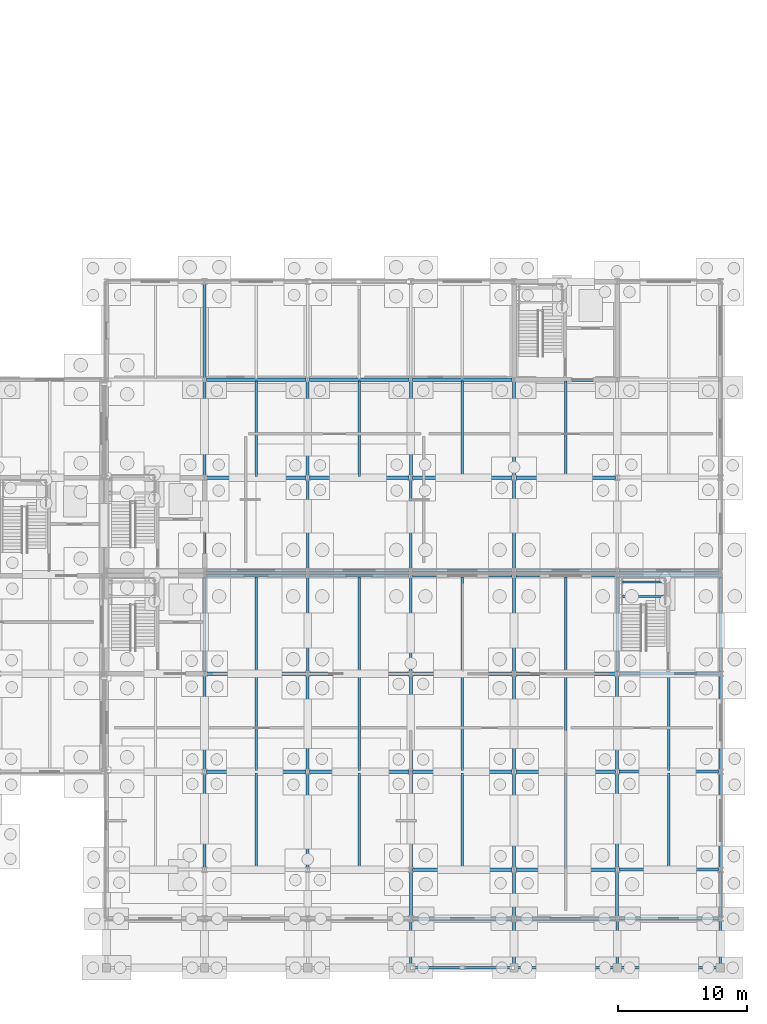
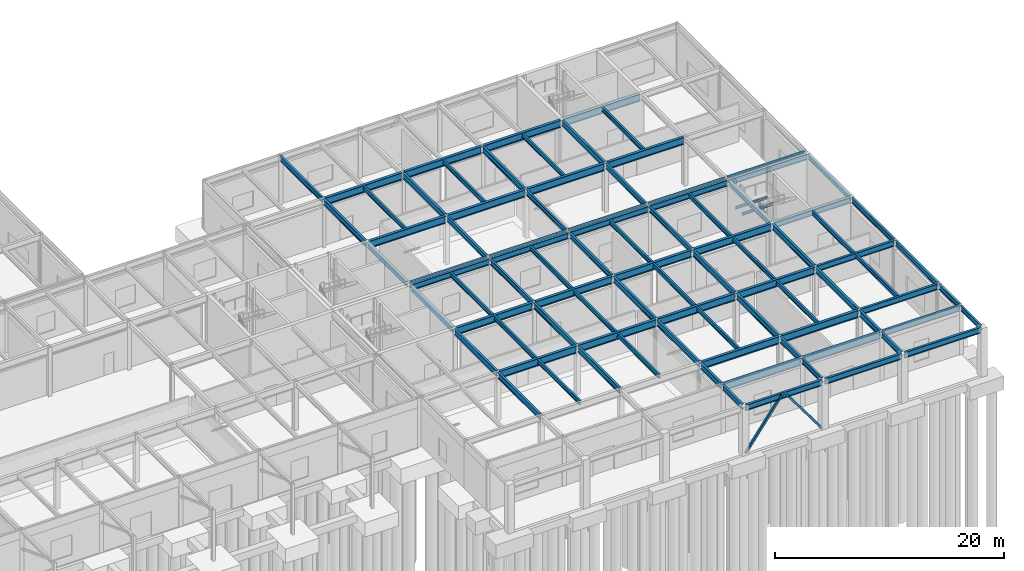
# One storey, part 33 of 62: 92 beams, 2 members.
"""IFC4 building model written with IfcOpenShell, lengths in metres."""

from ifc_helpers import new_model, si_unit, direction, frame, origin, origin_2d, place, context, subcontext, project, spatial, hollow_rectangle, i_section, extrude, material, material_profile, profile_set, type_object, element, save


model = new_model("IFC4")

# Units and contexts
model_context = context("Model", 3, precision=1e-05, world=origin(), true_north=direction((0.0, 1.0)))
body_context = subcontext(model_context, "Body", "Model", "MODEL_VIEW")
ifc_project = project(units=[si_unit("LENGTHUNIT", "METRE"), si_unit("AREAUNIT", "SQUARE_METRE"), si_unit("VOLUMEUNIT", "CUBIC_METRE"), si_unit("PLANEANGLEUNIT", "RADIAN"), si_unit("MASSUNIT", "GRAM", prefix="KILO")], contexts=[model_context])

# Site, building, storey
site_placement = place(None, origin())
site = spatial("IfcSite", under=ifc_project, at=site_placement, CompositionType="ELEMENT")
building_placement = place(site_placement, origin())
building = spatial("IfcBuilding", under=site, at=building_placement, Name="Zulena Civic Courthouse", CompositionType="ELEMENT")
storey_placement = place(building_placement, origin())
storey = spatial("IfcBuildingStorey", under=building, at=storey_placement, Name="L00", CompositionType="ELEMENT", Elevation=0.0)

# Members
ifc_material_1 = material(Name="Steel ASTM A500 Grade C", Category="steel")
ifc_material_profile_1 = material_profile(ifc_material_1, hollow_rectangle(XDim=0.202880859375, YDim=0.202880859375, WallThickness=0.01171875, at=origin_2d()), Name="HSS8X8X1/2")
ifc_profile_set_1 = profile_set([ifc_material_profile_1], Name="Steel ASTM A500 Grade C")
member_type = type_object("IfcMemberType", Name="Brace_HSS8", PredefinedType="BRACE", material=ifc_profile_set_1)
for number, where, z_axis, x_axis, name in (
    (1, (148.14990234375, 0.0, 0.010009765625), (0.593744110518, 0.0, 0.804653920158), (0.0, 1.0, 0.0), "brace:V1:L00:2:0"),
    (2, (155.85009765625, 0.0, 0.010009765625), (-0.593744110518, 0.0, 0.804653920158), (0.0, -1.0, 0.0), "brace:V1:L00:2:1"),
):
    element("IfcMember", number, at=place(storey_placement, frame(where, z_axis=z_axis, x_axis=x_axis)), inside=storey, type_object=member_type, Name=name, PredefinedType="BRACE", context=body_context, shape_type="SweptSolid", body=[
        extrude(hollow_rectangle(XDim=0.202880859375, YDim=0.202880859375, WallThickness=0.01171875, at=origin_2d()), origin(), (0.0, 0.0, 1.0), 6.400146484375),
    ])

# Beams
ifc_material_2 = material(Name="Steel ASTM A992 Grade 50", Category="steel")
ifc_material_profile_2 = material_profile(ifc_material_2, i_section(OverallWidth=0.22998046875, OverallDepth=0.616943359375, WebThickness=0.01318359375, FlangeThickness=0.022216796875, FilletRadius=0.0126953125, at=origin_2d()), Name="W24X94")
ifc_profile_set_2 = profile_set([ifc_material_profile_2], Name="Steel ASTM A992 Grade 50")
beam_type_1 = type_object("IfcBeamType", Name="Girder_W24X94", PredefinedType="BEAM", material=ifc_profile_set_2)
beam_1_placement = place(storey_placement, frame((132.0, 7.7451171875, 4.87646484375), z_axis=(0.0, 1.0, 0.0), x_axis=(-1.0, 0.0, 0.0)))
element("IfcBeam", 3, at=beam_1_placement, inside=storey, type_object=beam_type_1, Name="beam:Y:V1:L00:132.0:7.6_15.2", PredefinedType="BEAM", context=body_context, shape_type="SweptSolid", body=[
    extrude(i_section(OverallWidth=0.22998046875, OverallDepth=0.616943359375, WebThickness=0.01318359375, FlangeThickness=0.022216796875, FilletRadius=0.0126953125, at=origin_2d()), origin(), (0.0, 0.0, 1.0), 7.309814453125),
])
beam_2_placement = place(storey_placement, frame((132.0, 15.344970703125, 4.87646484375), z_axis=(0.0, 1.0, 0.0), x_axis=(-1.0, 0.0, 0.0)))
element("IfcBeam", 4, at=beam_2_placement, inside=storey, type_object=beam_type_1, Name="beam:Y:V1:L00:132.0:15.2_22.8", PredefinedType="BEAM", context=body_context, shape_type="SweptSolid", body=[
    extrude(i_section(OverallWidth=0.22998046875, OverallDepth=0.616943359375, WebThickness=0.01318359375, FlangeThickness=0.022216796875, FilletRadius=0.0126953125, at=origin_2d()), origin(), (0.0, 0.0, 1.0), 7.31005859375),
])
beam_3_placement = place(storey_placement, frame((140.0, 7.7451171875, 4.87646484375), z_axis=(0.0, 1.0, 0.0), x_axis=(-1.0, 0.0, 0.0)))
element("IfcBeam", 5, at=beam_3_placement, inside=storey, type_object=beam_type_1, Name="beam:Y:V1:L00:140.0:7.6_15.2", PredefinedType="BEAM", context=body_context, shape_type="SweptSolid", body=[
    extrude(i_section(OverallWidth=0.22998046875, OverallDepth=0.616943359375, WebThickness=0.01318359375, FlangeThickness=0.022216796875, FilletRadius=0.0126953125, at=origin_2d()), origin(), (0.0, 0.0, 1.0), 7.309814453125),
])
beam_4_placement = place(storey_placement, frame((140.0, 15.344970703125, 4.87646484375), z_axis=(0.0, 1.0, 0.0), x_axis=(-1.0, 0.0, 0.0)))
element("IfcBeam", 6, at=beam_4_placement, inside=storey, type_object=beam_type_1, Name="beam:Y:V1:L00:140.0:15.2_22.8", PredefinedType="BEAM", context=body_context, shape_type="SweptSolid", body=[
    extrude(i_section(OverallWidth=0.22998046875, OverallDepth=0.616943359375, WebThickness=0.01318359375, FlangeThickness=0.022216796875, FilletRadius=0.0126953125, at=origin_2d()), origin(), (0.0, 0.0, 1.0), 7.31005859375),
])
beam_5_placement = place(storey_placement, frame((148.0, 3.945068359375, 4.87646484375), z_axis=(0.0, 1.0, 0.0), x_axis=(-1.0, 0.0, 0.0)))
element("IfcBeam", 7, at=beam_5_placement, inside=storey, type_object=beam_type_1, Name="beam:Y:V1:L00:148.0:3.8_7.6", PredefinedType="BEAM", context=body_context, shape_type="SweptSolid", body=[
    extrude(i_section(OverallWidth=0.22998046875, OverallDepth=0.616943359375, WebThickness=0.01318359375, FlangeThickness=0.022216796875, FilletRadius=0.0126953125, at=origin_2d()), origin(), (0.0, 0.0, 1.0), 3.510009765625),
])
beam_6_placement = place(storey_placement, frame((148.0, 7.7451171875, 4.87646484375), z_axis=(0.0, 1.0, 0.0), x_axis=(-1.0, 0.0, 0.0)))
element("IfcBeam", 8, at=beam_6_placement, inside=storey, type_object=beam_type_1, Name="beam:Y:V1:L00:148.0:7.6_15.2", PredefinedType="BEAM", context=body_context, shape_type="SweptSolid", body=[
    extrude(i_section(OverallWidth=0.22998046875, OverallDepth=0.616943359375, WebThickness=0.01318359375, FlangeThickness=0.022216796875, FilletRadius=0.0126953125, at=origin_2d()), origin(), (0.0, 0.0, 1.0), 7.309814453125),
])
beam_7_placement = place(storey_placement, frame((148.0, 15.344970703125, 4.87646484375), z_axis=(0.0, 1.0, 0.0), x_axis=(-1.0, 0.0, 0.0)))
element("IfcBeam", 9, at=beam_7_placement, inside=storey, type_object=beam_type_1, Name="beam:Y:V1:L00:148.0:15.2_22.8", PredefinedType="BEAM", context=body_context, shape_type="SweptSolid", body=[
    extrude(i_section(OverallWidth=0.22998046875, OverallDepth=0.616943359375, WebThickness=0.01318359375, FlangeThickness=0.022216796875, FilletRadius=0.0126953125, at=origin_2d()), origin(), (0.0, 0.0, 1.0), 7.31005859375),
])
beam_8_placement = place(storey_placement, frame((156.0, 3.945068359375, 4.87646484375), z_axis=(0.0, 1.0, 0.0), x_axis=(-1.0, 0.0, 0.0)))
element("IfcBeam", 10, at=beam_8_placement, inside=storey, type_object=beam_type_1, Name="beam:Y:V1:L00:156.0:3.8_7.6", PredefinedType="BEAM", context=body_context, shape_type="SweptSolid", body=[
    extrude(i_section(OverallWidth=0.22998046875, OverallDepth=0.616943359375, WebThickness=0.01318359375, FlangeThickness=0.022216796875, FilletRadius=0.0126953125, at=origin_2d()), origin(), (0.0, 0.0, 1.0), 3.510009765625),
])
beam_9_placement = place(storey_placement, frame((156.0, 7.7451171875, 4.87646484375), z_axis=(0.0, 1.0, 0.0), x_axis=(-1.0, 0.0, 0.0)))
element("IfcBeam", 11, at=beam_9_placement, inside=storey, type_object=beam_type_1, Name="beam:Y:V1:L00:156.0:7.6_15.2", PredefinedType="BEAM", context=body_context, shape_type="SweptSolid", body=[
    extrude(i_section(OverallWidth=0.22998046875, OverallDepth=0.616943359375, WebThickness=0.01318359375, FlangeThickness=0.022216796875, FilletRadius=0.0126953125, at=origin_2d()), origin(), (0.0, 0.0, 1.0), 7.309814453125),
])
beam_10_placement = place(storey_placement, frame((156.0, 15.344970703125, 4.87646484375), z_axis=(0.0, 1.0, 0.0), x_axis=(-1.0, 0.0, 0.0)))
element("IfcBeam", 12, at=beam_10_placement, inside=storey, type_object=beam_type_1, Name="beam:Y:V1:L00:156.0:15.2_22.8", PredefinedType="BEAM", context=body_context, shape_type="SweptSolid", body=[
    extrude(i_section(OverallWidth=0.22998046875, OverallDepth=0.616943359375, WebThickness=0.01318359375, FlangeThickness=0.022216796875, FilletRadius=0.0126953125, at=origin_2d()), origin(), (0.0, 0.0, 1.0), 7.31005859375),
])
beam_11_placement = place(storey_placement, frame((164.0, 3.945068359375, 4.87646484375), z_axis=(0.0, 1.0, 0.0), x_axis=(-1.0, 0.0, 0.0)))
element("IfcBeam", 13, at=beam_11_placement, inside=storey, type_object=beam_type_1, Name="beam:Y:V1:L00:164.0:3.8_7.6", PredefinedType="BEAM", context=body_context, shape_type="SweptSolid", body=[
    extrude(i_section(OverallWidth=0.22998046875, OverallDepth=0.616943359375, WebThickness=0.01318359375, FlangeThickness=0.022216796875, FilletRadius=0.0126953125, at=origin_2d()), origin(), (0.0, 0.0, 1.0), 3.510009765625),
])
beam_12_placement = place(storey_placement, frame((164.0, 7.7451171875, 4.87646484375), z_axis=(0.0, 1.0, 0.0), x_axis=(-1.0, 0.0, 0.0)))
element("IfcBeam", 14, at=beam_12_placement, inside=storey, type_object=beam_type_1, Name="beam:Y:V1:L00:164.0:7.6_15.2", PredefinedType="BEAM", context=body_context, shape_type="SweptSolid", body=[
    extrude(i_section(OverallWidth=0.22998046875, OverallDepth=0.616943359375, WebThickness=0.01318359375, FlangeThickness=0.022216796875, FilletRadius=0.0126953125, at=origin_2d()), origin(), (0.0, 0.0, 1.0), 7.309814453125),
])
for number, where, z_axis, x_axis, name in (
    (15, (164.0, 15.344970703125, 4.87646484375), (0.0, 1.0, 0.0), (-1.0, 0.0, 0.0), "beam:Y:V1:L00:164.0:15.2_22.8"),
    (16, (132.0, 38.14501953125, 4.87646484375), (0.0, 1.0, 0.0), (-1.0, 0.0, 0.0), "beam:Y:V3:L00:132.0:38.0_45.6"),
    (17, (140.0, 38.14501953125, 4.87646484375), (0.0, 1.0, 0.0), (-1.0, 0.0, 0.0), "beam:Y:V3:L00:140.0:38.0_45.6"),
    (18, (148.0, 38.14501953125, 4.87646484375), (0.0, 1.0, 0.0), (-1.0, 0.0, 0.0), "beam:Y:V3:L00:148.0:38.0_45.6"),
    (19, (156.0, 38.14501953125, 4.87646484375), (0.0, 1.0, 0.0), (-1.0, 0.0, 0.0), "beam:Y:V3:L00:156.0:38.0_45.6"),
):
    element("IfcBeam", number, at=place(storey_placement, frame(where, z_axis=z_axis, x_axis=x_axis)), inside=storey, type_object=beam_type_1, Name=name, PredefinedType="BEAM", context=body_context, shape_type="SweptSolid", body=[
        extrude(i_section(OverallWidth=0.22998046875, OverallDepth=0.616943359375, WebThickness=0.01318359375, FlangeThickness=0.022216796875, FilletRadius=0.0126953125, at=origin_2d()), origin(), (0.0, 0.0, 1.0), 7.31005859375),
    ])
ifc_material_profile_3 = material_profile(ifc_material_2, i_section(OverallWidth=0.26611328125, OverallDepth=0.779052734375, WebThickness=0.0166015625, FlangeThickness=0.030029296875, FilletRadius=0.0166015625, at=origin_2d()), Name="W30X148")
ifc_profile_set_3 = profile_set([ifc_material_profile_3], Name="Steel ASTM A992 Grade 50")
beam_type_2 = type_object("IfcBeamType", Name="Girder_W30X148", PredefinedType="BEAM", material=ifc_profile_set_3)
for number, where, z_axis, x_axis, name in (
    (20, (148.14501953125, 3.800048828125, 4.79541015625), (1.0, 0.0, 0.0), (0.0, 1.0, 0.0), "beam:X:V1:L00:3.8:148.0_156.0"),
    (21, (156.14501953125, 3.800048828125, 4.79541015625), (1.0, 0.0, 0.0), (0.0, 1.0, 0.0), "beam:X:V1:L00:3.8:156.0_164.0"),
    (22, (148.14501953125, 7.60009765625, 4.79541015625), (1.0, 0.0, 0.0), (0.0, 1.0, 0.0), "beam:X:V1:L00:7.6:148.0_156.0"),
    (23, (156.14501953125, 7.60009765625, 4.79541015625), (1.0, 0.0, 0.0), (0.0, 1.0, 0.0), "beam:X:V1:L00:7.6:156.0_164.0"),
    (24, (132.14501953125, 15.199951171875, 4.79541015625), (1.0, 0.0, 0.0), (0.0, 1.0, 0.0), "beam:X:V1:L00:15.2:132.0_140.0"),
    (25, (140.14501953125, 15.199951171875, 4.79541015625), (1.0, 0.0, 0.0), (0.0, 1.0, 0.0), "beam:X:V1:L00:15.2:140.0_148.0"),
    (26, (148.14501953125, 15.199951171875, 4.79541015625), (1.0, 0.0, 0.0), (0.0, 1.0, 0.0), "beam:X:V1:L00:15.2:148.0_156.0"),
    (27, (156.14501953125, 15.199951171875, 4.79541015625), (1.0, 0.0, 0.0), (0.0, 1.0, 0.0), "beam:X:V1:L00:15.2:156.0_164.0"),
    (28, (132.14501953125, 22.800048828125, 4.79541015625), (1.0, 0.0, 0.0), (0.0, 1.0, 0.0), "beam:X:V1:L00:22.8:132.0_140.0"),
    (29, (140.14501953125, 22.800048828125, 4.79541015625), (1.0, 0.0, 0.0), (0.0, 1.0, 0.0), "beam:X:V1:L00:22.8:140.0_148.0"),
    (30, (148.14501953125, 22.800048828125, 4.79541015625), (1.0, 0.0, 0.0), (0.0, 1.0, 0.0), "beam:X:V1:L00:22.8:148.0_156.0"),
    (31, (156.14501953125, 22.800048828125, 4.79541015625), (1.0, 0.0, 0.0), (0.0, 1.0, 0.0), "beam:X:V1:L00:22.8:156.0_164.0"),
    (32, (132.14501953125, 38.0, 4.79541015625), (1.0, 0.0, 0.0), (0.0, 1.0, 0.0), "beam:X:V3:L00:38.0:132.0_140.0"),
    (33, (140.14501953125, 38.0, 4.79541015625), (1.0, 0.0, 0.0), (0.0, 1.0, 0.0), "beam:X:V3:L00:38.0:140.0_148.0"),
    (34, (148.14501953125, 38.0, 4.79541015625), (1.0, 0.0, 0.0), (0.0, 1.0, 0.0), "beam:X:V3:L00:38.0:148.0_156.0"),
    (35, (156.14501953125, 38.0, 4.79541015625), (1.0, 0.0, 0.0), (0.0, 1.0, 0.0), "beam:X:V3:L00:38.0:156.0_164.0"),
    (36, (132.14501953125, 45.60009765625, 4.79541015625), (1.0, 0.0, 0.0), (0.0, 1.0, 0.0), "beam:X:V3:L00:45.6:132.0_140.0"),
    (37, (140.14501953125, 45.60009765625, 4.79541015625), (1.0, 0.0, 0.0), (0.0, 1.0, 0.0), "beam:X:V3:L00:45.6:140.0_148.0"),
    (38, (148.14501953125, 45.60009765625, 4.79541015625), (1.0, 0.0, 0.0), (0.0, 1.0, 0.0), "beam:X:V3:L00:45.6:148.0_156.0"),
    (39, (156.14501953125, 45.60009765625, 4.79541015625), (1.0, 0.0, 0.0), (0.0, 1.0, 0.0), "beam:X:V3:L00:45.6:156.0_164.0"),
):
    element("IfcBeam", number, at=place(storey_placement, frame(where, z_axis=z_axis, x_axis=x_axis)), inside=storey, type_object=beam_type_2, Name=name, PredefinedType="BEAM", context=body_context, shape_type="SweptSolid", body=[
        extrude(i_section(OverallWidth=0.26611328125, OverallDepth=0.779052734375, WebThickness=0.0166015625, FlangeThickness=0.030029296875, FilletRadius=0.0166015625, at=origin_2d()), origin(), (0.0, 0.0, 1.0), 7.7099609375),
    ])
ifc_material_profile_4 = material_profile(ifc_material_2, i_section(OverallWidth=0.14599609375, OverallDepth=0.258056640625, WebThickness=0.006103515625, FlangeThickness=0.009033203125, FilletRadius=0.007568359375, at=origin_2d()), Name="W10X22")
ifc_profile_set_4 = profile_set([ifc_material_profile_4], Name="Steel ASTM A992 Grade 50")
beam_type_3 = type_object("IfcBeamType", Name="Joist_W10X22", PredefinedType="JOIST", material=ifc_profile_set_4)
for number, where, z_axis, x_axis, name in (
    (40, (164.419921875, 28.800048828125, 2.291015625), (1.0, 0.0, 0.0), (0.0, 1.0, 0.0), "beam:lnd:K1B:L00:0"),
    (41, (164.419921875, 29.89990234375, 2.291015625), (1.0, 0.0, 0.0), (0.0, 1.0, 0.0), "beam:lnd:K1B:L00:1"),
):
    element("IfcBeam", number, at=place(storey_placement, frame(where, z_axis=z_axis, x_axis=x_axis)), inside=storey, type_object=beam_type_3, Name=name, PredefinedType="JOIST", context=body_context, shape_type="SweptSolid", body=[
        extrude(i_section(OverallWidth=0.14599609375, OverallDepth=0.258056640625, WebThickness=0.006103515625, FlangeThickness=0.009033203125, FilletRadius=0.007568359375, at=origin_2d()), origin(), (0.0, 0.0, 1.0), 3.2001953125),
    ])
ifc_material_profile_5 = material_profile(ifc_material_2, i_section(OverallWidth=0.19091796875, OverallDepth=0.4599609375, WebThickness=0.010009765625, FlangeThickness=0.01611328125, FilletRadius=0.01025390625, at=origin_2d()), Name="W18X55")
ifc_profile_set_5 = profile_set([ifc_material_profile_5], Name="Steel ASTM A992 Grade 50")
beam_type_4 = type_object("IfcBeamType", Name="Joist_W18X55", PredefinedType="JOIST", material=ifc_profile_set_5)
beam_13_placement = place(storey_placement, frame((136.0, 7.705078125, 4.955078125), z_axis=(0.0, 1.0, 0.0), x_axis=(-1.0, 0.0, 0.0)))
element("IfcBeam", 42, at=beam_13_placement, inside=storey, type_object=beam_type_4, Name="joist:V1:L00:136.00:7.6_15.2", PredefinedType="JOIST", context=body_context, shape_type="SweptSolid", body=[
    extrude(i_section(OverallWidth=0.19091796875, OverallDepth=0.4599609375, WebThickness=0.010009765625, FlangeThickness=0.01611328125, FilletRadius=0.01025390625, at=origin_2d()), origin(), (0.0, 0.0, 1.0), 7.389892578125),
])
beam_14_placement = place(storey_placement, frame((136.0, 15.304931640625, 4.955078125), z_axis=(0.0, 1.0, 0.0), x_axis=(-1.0, 0.0, 0.0)))
element("IfcBeam", 43, at=beam_14_placement, inside=storey, type_object=beam_type_4, Name="joist:V1:L00:136.00:15.2_22.8", PredefinedType="JOIST", context=body_context, shape_type="SweptSolid", body=[
    extrude(i_section(OverallWidth=0.19091796875, OverallDepth=0.4599609375, WebThickness=0.010009765625, FlangeThickness=0.01611328125, FilletRadius=0.01025390625, at=origin_2d()), origin(), (0.0, 0.0, 1.0), 7.39013671875),
])
for number, where, z_axis, x_axis, name in (
    (44, (136.0, 22.905029296875, 4.955078125), (0.0, 1.0, 0.0), (-1.0, 0.0, 0.0), "joist:V1:L00:136.00:22.8_30.4"),
    (45, (144.0, 7.705078125, 4.955078125), (0.0, 1.0, 0.0), (-1.0, 0.0, 0.0), "joist:V1:L00:144.00:7.6_15.2"),
):
    element("IfcBeam", number, at=place(storey_placement, frame(where, z_axis=z_axis, x_axis=x_axis)), inside=storey, type_object=beam_type_4, Name=name, PredefinedType="JOIST", context=body_context, shape_type="SweptSolid", body=[
        extrude(i_section(OverallWidth=0.19091796875, OverallDepth=0.4599609375, WebThickness=0.010009765625, FlangeThickness=0.01611328125, FilletRadius=0.01025390625, at=origin_2d()), origin(), (0.0, 0.0, 1.0), 7.389892578125),
    ])
beam_15_placement = place(storey_placement, frame((144.0, 15.304931640625, 4.955078125), z_axis=(0.0, 1.0, 0.0), x_axis=(-1.0, 0.0, 0.0)))
element("IfcBeam", 46, at=beam_15_placement, inside=storey, type_object=beam_type_4, Name="joist:V1:L00:144.00:15.2_22.8", PredefinedType="JOIST", context=body_context, shape_type="SweptSolid", body=[
    extrude(i_section(OverallWidth=0.19091796875, OverallDepth=0.4599609375, WebThickness=0.010009765625, FlangeThickness=0.01611328125, FilletRadius=0.01025390625, at=origin_2d()), origin(), (0.0, 0.0, 1.0), 7.39013671875),
])
for number, where, z_axis, x_axis, name in (
    (47, (144.0, 22.905029296875, 4.955078125), (0.0, 1.0, 0.0), (-1.0, 0.0, 0.0), "joist:V1:L00:144.00:22.8_30.4"),
    (48, (152.0, 7.705078125, 4.955078125), (0.0, 1.0, 0.0), (-1.0, 0.0, 0.0), "joist:V1:L00:152.00:7.6_15.2"),
):
    element("IfcBeam", number, at=place(storey_placement, frame(where, z_axis=z_axis, x_axis=x_axis)), inside=storey, type_object=beam_type_4, Name=name, PredefinedType="JOIST", context=body_context, shape_type="SweptSolid", body=[
        extrude(i_section(OverallWidth=0.19091796875, OverallDepth=0.4599609375, WebThickness=0.010009765625, FlangeThickness=0.01611328125, FilletRadius=0.01025390625, at=origin_2d()), origin(), (0.0, 0.0, 1.0), 7.389892578125),
    ])
beam_16_placement = place(storey_placement, frame((152.0, 15.304931640625, 4.955078125), z_axis=(0.0, 1.0, 0.0), x_axis=(-1.0, 0.0, 0.0)))
element("IfcBeam", 49, at=beam_16_placement, inside=storey, type_object=beam_type_4, Name="joist:V1:L00:152.00:15.2_22.8", PredefinedType="JOIST", context=body_context, shape_type="SweptSolid", body=[
    extrude(i_section(OverallWidth=0.19091796875, OverallDepth=0.4599609375, WebThickness=0.010009765625, FlangeThickness=0.01611328125, FilletRadius=0.01025390625, at=origin_2d()), origin(), (0.0, 0.0, 1.0), 7.39013671875),
])
for number, where, z_axis, x_axis, name in (
    (50, (152.0, 22.905029296875, 4.955078125), (0.0, 1.0, 0.0), (-1.0, 0.0, 0.0), "joist:V1:L00:152.00:22.8_30.4"),
    (51, (160.0, 7.705078125, 4.955078125), (0.0, 1.0, 0.0), (-1.0, 0.0, 0.0), "joist:V1:L00:160.00:7.6_15.2"),
):
    element("IfcBeam", number, at=place(storey_placement, frame(where, z_axis=z_axis, x_axis=x_axis)), inside=storey, type_object=beam_type_4, Name=name, PredefinedType="JOIST", context=body_context, shape_type="SweptSolid", body=[
        extrude(i_section(OverallWidth=0.19091796875, OverallDepth=0.4599609375, WebThickness=0.010009765625, FlangeThickness=0.01611328125, FilletRadius=0.01025390625, at=origin_2d()), origin(), (0.0, 0.0, 1.0), 7.389892578125),
    ])
beam_17_placement = place(storey_placement, frame((160.0, 15.304931640625, 4.955078125), z_axis=(0.0, 1.0, 0.0), x_axis=(-1.0, 0.0, 0.0)))
element("IfcBeam", 52, at=beam_17_placement, inside=storey, type_object=beam_type_4, Name="joist:V1:L00:160.00:15.2_22.8", PredefinedType="JOIST", context=body_context, shape_type="SweptSolid", body=[
    extrude(i_section(OverallWidth=0.19091796875, OverallDepth=0.4599609375, WebThickness=0.010009765625, FlangeThickness=0.01611328125, FilletRadius=0.01025390625, at=origin_2d()), origin(), (0.0, 0.0, 1.0), 7.39013671875),
])
for number, where, z_axis, x_axis, name in (
    (53, (160.0, 22.905029296875, 4.955078125), (0.0, 1.0, 0.0), (-1.0, 0.0, 0.0), "joist:V1:L00:160.00:22.8_30.4"),
    (54, (168.0, 7.705078125, 4.955078125), (0.0, 1.0, 0.0), (-1.0, 0.0, 0.0), "joist:V1:L00:168.00:7.6_15.2"),
):
    element("IfcBeam", number, at=place(storey_placement, frame(where, z_axis=z_axis, x_axis=x_axis)), inside=storey, type_object=beam_type_4, Name=name, PredefinedType="JOIST", context=body_context, shape_type="SweptSolid", body=[
        extrude(i_section(OverallWidth=0.19091796875, OverallDepth=0.4599609375, WebThickness=0.010009765625, FlangeThickness=0.01611328125, FilletRadius=0.01025390625, at=origin_2d()), origin(), (0.0, 0.0, 1.0), 7.389892578125),
    ])
for number, where, z_axis, x_axis, name in (
    (55, (168.0, 15.304931640625, 4.955078125), (0.0, 1.0, 0.0), (-1.0, 0.0, 0.0), "joist:V1:L00:168.00:15.2_22.8"),
    (56, (136.0, 38.10498046875, 4.955078125), (0.0, 1.0, 0.0), (-1.0, 0.0, 0.0), "joist:V3:L00:136.00:38.0_45.6"),
    (57, (144.0, 38.10498046875, 4.955078125), (0.0, 1.0, 0.0), (-1.0, 0.0, 0.0), "joist:V3:L00:144.00:38.0_45.6"),
    (58, (152.0, 38.10498046875, 4.955078125), (0.0, 1.0, 0.0), (-1.0, 0.0, 0.0), "joist:V3:L00:152.00:38.0_45.6"),
    (59, (160.0, 38.10498046875, 4.955078125), (0.0, 1.0, 0.0), (-1.0, 0.0, 0.0), "joist:V3:L00:160.00:38.0_45.6"),
):
    element("IfcBeam", number, at=place(storey_placement, frame(where, z_axis=z_axis, x_axis=x_axis)), inside=storey, type_object=beam_type_4, Name=name, PredefinedType="JOIST", context=body_context, shape_type="SweptSolid", body=[
        extrude(i_section(OverallWidth=0.19091796875, OverallDepth=0.4599609375, WebThickness=0.010009765625, FlangeThickness=0.01611328125, FilletRadius=0.01025390625, at=origin_2d()), origin(), (0.0, 0.0, 1.0), 7.39013671875),
    ])
ifc_material_profile_6 = material_profile(ifc_material_2, i_section(OverallWidth=0.2099609375, OverallDepth=0.537109375, WebThickness=0.010986328125, FlangeThickness=0.017333984375, FilletRadius=0.0126953125, at=origin_2d()), Name="W21X68")
ifc_profile_set_6 = profile_set([ifc_material_profile_6], Name="Steel ASTM A992 Grade 50")
beam_type_5 = type_object("IfcBeamType", Name="Spandrel_W21X68", PredefinedType="SPANDREL", material=ifc_profile_set_6)
for number, where, z_axis, x_axis, name in (
    (60, (132.0, 22.945068359375, 4.91650390625), (0.0, 1.0, 0.0), (-1.0, 0.0, 0.0), "beam:Y:V1:L00:132.0:22.8_30.4"),
    (61, (140.0, 22.945068359375, 4.91650390625), (0.0, 1.0, 0.0), (-1.0, 0.0, 0.0), "beam:Y:V1:L00:140.0:22.8_30.4"),
):
    element("IfcBeam", number, at=place(storey_placement, frame(where, z_axis=z_axis, x_axis=x_axis)), inside=storey, type_object=beam_type_5, Name=name, PredefinedType="SPANDREL", context=body_context, shape_type="SweptSolid", body=[
        extrude(i_section(OverallWidth=0.2099609375, OverallDepth=0.537109375, WebThickness=0.010986328125, FlangeThickness=0.017333984375, FilletRadius=0.0126953125, at=origin_2d()), origin(), (0.0, 0.0, 1.0), 7.309814453125),
    ])
beam_18_placement = place(storey_placement, frame((148.0, 0.14501953125, 4.91650390625), z_axis=(0.0, 1.0, 0.0), x_axis=(-1.0, 0.0, 0.0)))
element("IfcBeam", 62, at=beam_18_placement, inside=storey, type_object=beam_type_5, Name="beam:Y:V1:L00:148.0:0.0_3.8", PredefinedType="SPANDREL", context=body_context, shape_type="SweptSolid", body=[
    extrude(i_section(OverallWidth=0.2099609375, OverallDepth=0.537109375, WebThickness=0.010986328125, FlangeThickness=0.017333984375, FilletRadius=0.0126953125, at=origin_2d()), origin(), (0.0, 0.0, 1.0), 3.510009765625),
])
beam_19_placement = place(storey_placement, frame((148.0, 22.945068359375, 4.91650390625), z_axis=(0.0, 1.0, 0.0), x_axis=(-1.0, 0.0, 0.0)))
element("IfcBeam", 63, at=beam_19_placement, inside=storey, type_object=beam_type_5, Name="beam:Y:V1:L00:148.0:22.8_30.4", PredefinedType="SPANDREL", context=body_context, shape_type="SweptSolid", body=[
    extrude(i_section(OverallWidth=0.2099609375, OverallDepth=0.537109375, WebThickness=0.010986328125, FlangeThickness=0.017333984375, FilletRadius=0.0126953125, at=origin_2d()), origin(), (0.0, 0.0, 1.0), 7.309814453125),
])
beam_20_placement = place(storey_placement, frame((156.0, 0.14501953125, 4.91650390625), z_axis=(0.0, 1.0, 0.0), x_axis=(-1.0, 0.0, 0.0)))
element("IfcBeam", 64, at=beam_20_placement, inside=storey, type_object=beam_type_5, Name="beam:Y:V1:L00:156.0:0.0_3.8", PredefinedType="SPANDREL", context=body_context, shape_type="SweptSolid", body=[
    extrude(i_section(OverallWidth=0.2099609375, OverallDepth=0.537109375, WebThickness=0.010986328125, FlangeThickness=0.017333984375, FilletRadius=0.0126953125, at=origin_2d()), origin(), (0.0, 0.0, 1.0), 3.510009765625),
])
beam_21_placement = place(storey_placement, frame((156.0, 22.945068359375, 4.91650390625), z_axis=(0.0, 1.0, 0.0), x_axis=(-1.0, 0.0, 0.0)))
element("IfcBeam", 65, at=beam_21_placement, inside=storey, type_object=beam_type_5, Name="beam:Y:V1:L00:156.0:22.8_30.4", PredefinedType="SPANDREL", context=body_context, shape_type="SweptSolid", body=[
    extrude(i_section(OverallWidth=0.2099609375, OverallDepth=0.537109375, WebThickness=0.010986328125, FlangeThickness=0.017333984375, FilletRadius=0.0126953125, at=origin_2d()), origin(), (0.0, 0.0, 1.0), 7.309814453125),
])
beam_22_placement = place(storey_placement, frame((164.0, 0.14501953125, 4.91650390625), z_axis=(0.0, 1.0, 0.0), x_axis=(-1.0, 0.0, 0.0)))
element("IfcBeam", 66, at=beam_22_placement, inside=storey, type_object=beam_type_5, Name="beam:Y:V1:L00:164.0:0.0_3.8", PredefinedType="SPANDREL", context=body_context, shape_type="SweptSolid", body=[
    extrude(i_section(OverallWidth=0.2099609375, OverallDepth=0.537109375, WebThickness=0.010986328125, FlangeThickness=0.017333984375, FilletRadius=0.0126953125, at=origin_2d()), origin(), (0.0, 0.0, 1.0), 3.510009765625),
])
beam_23_placement = place(storey_placement, frame((164.0, 22.945068359375, 4.91650390625), z_axis=(0.0, 1.0, 0.0), x_axis=(-1.0, 0.0, 0.0)))
element("IfcBeam", 67, at=beam_23_placement, inside=storey, type_object=beam_type_5, Name="beam:Y:V1:L00:164.0:22.8_30.4", PredefinedType="SPANDREL", context=body_context, shape_type="SweptSolid", body=[
    extrude(i_section(OverallWidth=0.2099609375, OverallDepth=0.537109375, WebThickness=0.010986328125, FlangeThickness=0.017333984375, FilletRadius=0.0126953125, at=origin_2d()), origin(), (0.0, 0.0, 1.0), 7.309814453125),
])
for number, where, z_axis, x_axis, name in (
    (68, (172.0, 0.14501953125, 4.91650390625), (0.0, 1.0, 0.0), (-1.0, 0.0, 0.0), "beam:Y:V1:L00:172.0:0.0_3.8"),
    (69, (172.0, 3.945068359375, 4.91650390625), (0.0, 1.0, 0.0), (-1.0, 0.0, 0.0), "beam:Y:V1:L00:172.0:3.8_7.6"),
):
    element("IfcBeam", number, at=place(storey_placement, frame(where, z_axis=z_axis, x_axis=x_axis)), inside=storey, type_object=beam_type_5, Name=name, PredefinedType="SPANDREL", context=body_context, shape_type="SweptSolid", body=[
        extrude(i_section(OverallWidth=0.2099609375, OverallDepth=0.537109375, WebThickness=0.010986328125, FlangeThickness=0.017333984375, FilletRadius=0.0126953125, at=origin_2d()), origin(), (0.0, 0.0, 1.0), 3.510009765625),
    ])
beam_24_placement = place(storey_placement, frame((172.0, 7.7451171875, 4.91650390625), z_axis=(0.0, 1.0, 0.0), x_axis=(-1.0, 0.0, 0.0)))
element("IfcBeam", 70, at=beam_24_placement, inside=storey, type_object=beam_type_5, Name="beam:Y:V1:L00:172.0:7.6_15.2", PredefinedType="SPANDREL", context=body_context, shape_type="SweptSolid", body=[
    extrude(i_section(OverallWidth=0.2099609375, OverallDepth=0.537109375, WebThickness=0.010986328125, FlangeThickness=0.017333984375, FilletRadius=0.0126953125, at=origin_2d()), origin(), (0.0, 0.0, 1.0), 7.309814453125),
])
beam_25_placement = place(storey_placement, frame((172.0, 15.344970703125, 4.91650390625), z_axis=(0.0, 1.0, 0.0), x_axis=(-1.0, 0.0, 0.0)))
element("IfcBeam", 71, at=beam_25_placement, inside=storey, type_object=beam_type_5, Name="beam:Y:V1:L00:172.0:15.2_22.8", PredefinedType="SPANDREL", context=body_context, shape_type="SweptSolid", body=[
    extrude(i_section(OverallWidth=0.2099609375, OverallDepth=0.537109375, WebThickness=0.010986328125, FlangeThickness=0.017333984375, FilletRadius=0.0126953125, at=origin_2d()), origin(), (0.0, 0.0, 1.0), 7.31005859375),
])
beam_26_placement = place(storey_placement, frame((172.0, 22.945068359375, 4.91650390625), z_axis=(0.0, 1.0, 0.0), x_axis=(-1.0, 0.0, 0.0)))
element("IfcBeam", 72, at=beam_26_placement, inside=storey, type_object=beam_type_5, Name="beam:Y:V1:L00:172.0:22.8_30.4", PredefinedType="SPANDREL", context=body_context, shape_type="SweptSolid", body=[
    extrude(i_section(OverallWidth=0.2099609375, OverallDepth=0.537109375, WebThickness=0.010986328125, FlangeThickness=0.017333984375, FilletRadius=0.0126953125, at=origin_2d()), origin(), (0.0, 0.0, 1.0), 7.309814453125),
])
beam_27_placement = place(storey_placement, frame((132.0, 30.945068359375, 4.91650390625), z_axis=(0.0, 1.0, 0.0), x_axis=(-1.0, 0.0, 0.0)))
element("IfcBeam", 73, at=beam_27_placement, inside=storey, type_object=beam_type_5, Name="beam:Y:V3:L00:132.0:30.8_38.0", PredefinedType="SPANDREL", context=body_context, shape_type="SweptSolid", body=[
    extrude(i_section(OverallWidth=0.2099609375, OverallDepth=0.537109375, WebThickness=0.010986328125, FlangeThickness=0.017333984375, FilletRadius=0.0126953125, at=origin_2d()), origin(), (0.0, 0.0, 1.0), 6.909912109375),
])
beam_28_placement = place(storey_placement, frame((132.0, 45.7451171875, 4.91650390625), z_axis=(0.0, 1.0, 0.0), x_axis=(-1.0, 0.0, 0.0)))
element("IfcBeam", 74, at=beam_28_placement, inside=storey, type_object=beam_type_5, Name="beam:Y:V3:L00:132.0:45.6_53.2", PredefinedType="SPANDREL", context=body_context, shape_type="SweptSolid", body=[
    extrude(i_section(OverallWidth=0.2099609375, OverallDepth=0.537109375, WebThickness=0.010986328125, FlangeThickness=0.017333984375, FilletRadius=0.0126953125, at=origin_2d()), origin(), (0.0, 0.0, 1.0), 7.309814453125),
])
for number, where, z_axis, x_axis, name in (
    (75, (140.0, 30.945068359375, 4.91650390625), (0.0, 1.0, 0.0), (-1.0, 0.0, 0.0), "beam:Y:V3:L00:140.0:30.8_38.0"),
    (76, (148.0, 30.945068359375, 4.91650390625), (0.0, 1.0, 0.0), (-1.0, 0.0, 0.0), "beam:Y:V3:L00:148.0:30.8_38.0"),
    (77, (156.0, 30.945068359375, 4.91650390625), (0.0, 1.0, 0.0), (-1.0, 0.0, 0.0), "beam:Y:V3:L00:156.0:30.8_38.0"),
):
    element("IfcBeam", number, at=place(storey_placement, frame(where, z_axis=z_axis, x_axis=x_axis)), inside=storey, type_object=beam_type_5, Name=name, PredefinedType="SPANDREL", context=body_context, shape_type="SweptSolid", body=[
        extrude(i_section(OverallWidth=0.2099609375, OverallDepth=0.537109375, WebThickness=0.010986328125, FlangeThickness=0.017333984375, FilletRadius=0.0126953125, at=origin_2d()), origin(), (0.0, 0.0, 1.0), 6.909912109375),
    ])
ifc_material_profile_7 = material_profile(ifc_material_2, i_section(OverallWidth=0.22998046875, OverallDepth=0.616943359375, WebThickness=0.01318359375, FlangeThickness=0.022216796875, FilletRadius=0.0126953125, at=origin_2d()), Name="W24X94")
ifc_profile_set_7 = profile_set([ifc_material_profile_7], Name="Steel ASTM A992 Grade 50")
beam_type_6 = type_object("IfcBeamType", Name="Spandrel_W24X94", PredefinedType="SPANDREL", material=ifc_profile_set_7)
for number, where, z_axis, x_axis, name in (
    (78, (148.14501953125, 0.0, 4.87646484375), (1.0, 0.0, 0.0), (0.0, 1.0, 0.0), "beam:X:V1:L00:0.0:148.0_156.0"),
    (79, (156.14501953125, 0.0, 4.87646484375), (1.0, 0.0, 0.0), (0.0, 1.0, 0.0), "beam:X:V1:L00:0.0:156.0_164.0"),
    (80, (164.14501953125, 0.0, 4.87646484375), (1.0, 0.0, 0.0), (0.0, 1.0, 0.0), "beam:X:V1:L00:0.0:164.0_172.0"),
    (81, (164.14501953125, 3.800048828125, 4.87646484375), (1.0, 0.0, 0.0), (0.0, 1.0, 0.0), "beam:X:V1:L00:3.8:164.0_172.0"),
    (82, (164.14501953125, 7.60009765625, 4.87646484375), (1.0, 0.0, 0.0), (0.0, 1.0, 0.0), "beam:X:V1:L00:7.6:164.0_172.0"),
    (83, (164.14501953125, 15.199951171875, 4.87646484375), (1.0, 0.0, 0.0), (0.0, 1.0, 0.0), "beam:X:V1:L00:15.2:164.0_172.0"),
    (84, (164.14501953125, 22.800048828125, 4.87646484375), (1.0, 0.0, 0.0), (0.0, 1.0, 0.0), "beam:X:V1:L00:22.8:164.0_172.0"),
    (85, (132.14501953125, 30.39990234375, 4.87646484375), (1.0, 0.0, 0.0), (0.0, 1.0, 0.0), "beam:X:V1:L00:30.4:132.0_140.0"),
    (86, (140.14501953125, 30.39990234375, 4.87646484375), (1.0, 0.0, 0.0), (0.0, 1.0, 0.0), "beam:X:V1:L00:30.4:140.0_148.0"),
    (87, (148.14501953125, 30.39990234375, 4.87646484375), (1.0, 0.0, 0.0), (0.0, 1.0, 0.0), "beam:X:V1:L00:30.4:148.0_156.0"),
    (88, (156.14501953125, 30.39990234375, 4.87646484375), (1.0, 0.0, 0.0), (0.0, 1.0, 0.0), "beam:X:V1:L00:30.4:156.0_164.0"),
    (89, (164.14501953125, 30.39990234375, 4.87646484375), (1.0, 0.0, 0.0), (0.0, 1.0, 0.0), "beam:X:V1:L00:30.4:164.0_172.0"),
    (90, (132.14501953125, 30.800048828125, 4.87646484375), (1.0, 0.0, 0.0), (0.0, 1.0, 0.0), "beam:X:V3:L00:30.8:132.0_140.0"),
    (91, (140.14501953125, 30.800048828125, 4.87646484375), (1.0, 0.0, 0.0), (0.0, 1.0, 0.0), "beam:X:V3:L00:30.8:140.0_148.0"),
    (92, (148.14501953125, 30.800048828125, 4.87646484375), (1.0, 0.0, 0.0), (0.0, 1.0, 0.0), "beam:X:V3:L00:30.8:148.0_156.0"),
    (93, (156.14501953125, 30.800048828125, 4.87646484375), (1.0, 0.0, 0.0), (0.0, 1.0, 0.0), "beam:X:V3:L00:30.8:156.0_164.0"),
    (94, (164.14501953125, 30.800048828125, 4.87646484375), (1.0, 0.0, 0.0), (0.0, 1.0, 0.0), "beam:X:V3:L00:30.8:164.0_172.0"),
):
    element("IfcBeam", number, at=place(storey_placement, frame(where, z_axis=z_axis, x_axis=x_axis)), inside=storey, type_object=beam_type_6, Name=name, PredefinedType="SPANDREL", context=body_context, shape_type="SweptSolid", body=[
        extrude(i_section(OverallWidth=0.22998046875, OverallDepth=0.616943359375, WebThickness=0.01318359375, FlangeThickness=0.022216796875, FilletRadius=0.0126953125, at=origin_2d()), origin(), (0.0, 0.0, 1.0), 7.7099609375),
    ])

save(model, "model.ifc")
